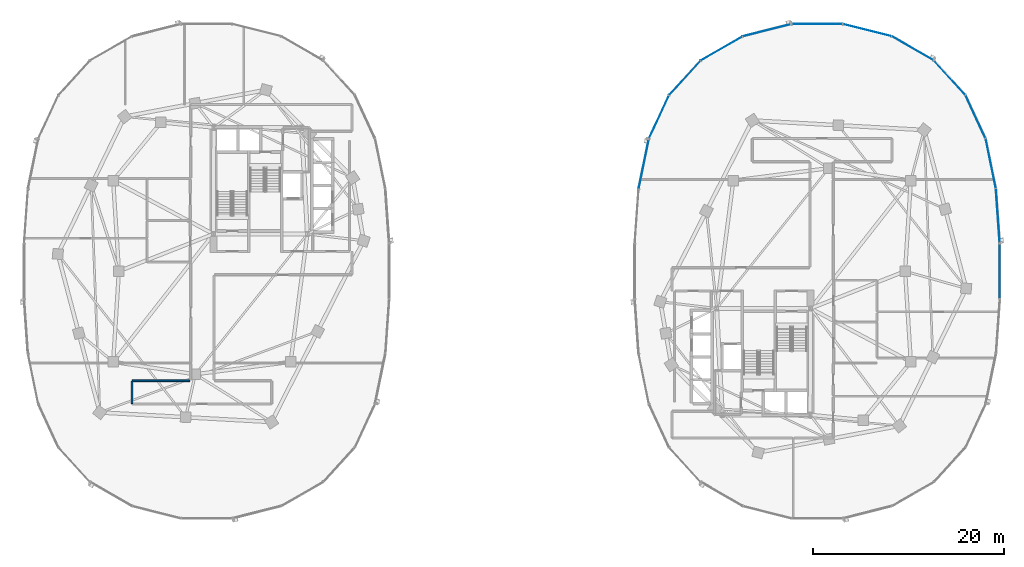
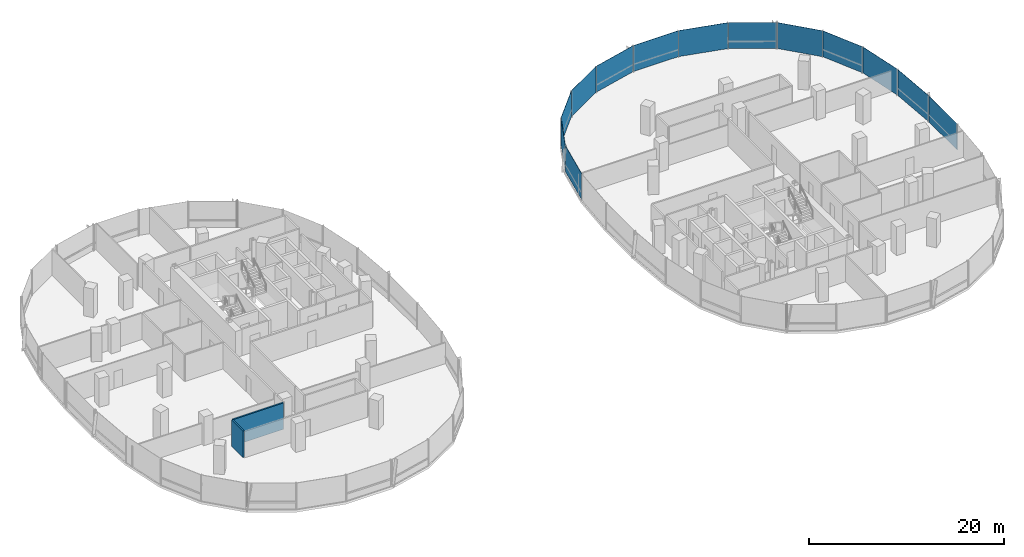
# One storey, part 10 of 21: 13 plates, 2 walls, 3 elements without a shape of their own.
"""IFC4 building model written with IfcOpenShell, lengths in metres."""

from ifc_helpers import new_model, si_unit, direction, frame, frame_2d, origin, origin_2d, place, context, subcontext, project, spatial, rectangle, extrude, material, layer, layer_set, type_object, element, aggregate, save


model = new_model("IFC4")

# Units and contexts
model_context = context("Model", 3, precision=1e-05, world=origin(), true_north=direction((0.0, 1.0)))
body_context = subcontext(model_context, "Body", "Model", "MODEL_VIEW")
ifc_project = project(units=[si_unit("LENGTHUNIT", "METRE"), si_unit("AREAUNIT", "SQUARE_METRE"), si_unit("VOLUMEUNIT", "CUBIC_METRE"), si_unit("PLANEANGLEUNIT", "RADIAN"), si_unit("MASSUNIT", "GRAM", prefix="KILO"), si_unit("THERMODYNAMICTEMPERATUREUNIT", "KELVIN"), si_unit("POWERUNIT", "WATT")], contexts=[model_context])

# Site, building, storey
site_placement = place(None, origin())
site = spatial("IfcSite", under=ifc_project, at=site_placement, CompositionType="ELEMENT")
building_placement = place(site_placement, origin())
building = spatial("IfcBuilding", under=site, at=building_placement, Name="Cundina Bronze Exchange", CompositionType="ELEMENT")
storey_placement = place(building_placement, frame((0.0, 0.0, 99.800048828125)))
storey = spatial("IfcBuildingStorey", under=building, at=storey_placement, Name="L25", CompositionType="ELEMENT", Elevation=99.800048828125)

# Curtain wall, plates
ifc_material_1 = material(Name="Anodised Bronze Aluminium 6063-T6", Category="aluminium")
curtain_wall_type = type_object("IfcCurtainWallType", Name="CWS-TRD-MID", PredefinedType="NOTDEFINED", material=ifc_material_1)
curtain_wall_1_placement = place(storey_placement, origin())
curtain_wall_1 = element("IfcCurtainWall", 1, at=curtain_wall_1_placement, inside=storey, type_object=curtain_wall_type, Name="L25 CW-03 Curtain Wall Run CWR-L25-E1", PredefinedType="NOTDEFINED")
ifc_material_2 = material(Name="Heat-Strengthened Solar-Control Bronze Safety Glass 28mm", Category="glass")
ifc_layer_1 = layer(ifc_material_2, 0.028076171875, Name="Heat-Strengthened Solar-Control Bronze Safety Glass 28mm", Category="glass")
ifc_layer_set_1 = layer_set([ifc_layer_1], Name="Heat-Strengthened Solar-Control Bronze Safety Glass 28mm")
plate_type_1 = type_object("IfcPlateType", Name="PLT-GLZ-VIS28", PredefinedType="CURTAIN_PANEL", material=ifc_layer_set_1)
plate_1_placement = place(storey_placement, frame((50.9267578125, 5.783935546875, 0.02001953125), z_axis=(0.0, 0.0, 1.0), x_axis=(-0.070278787473, 0.997527389113, 0.0)))
plate_1 = element("IfcPlate", 2, at=plate_1_placement, type_object=plate_type_1, Name="CW-03 Glazed Panel 1", PredefinedType="CURTAIN_PANEL", context=body_context, shape_type="SweptSolid", body=[
    extrude(rectangle(XDim=5.644287109375, YDim=0.028076171875, at=origin_2d()), origin(), (0.0, 0.0, 1.0), 3.260009765625),
])
plate_2_placement = place(storey_placement, frame((50.18408203125, 11.269775390625, 0.02001953125), z_axis=(0.0, 0.0, 1.0), x_axis=(-0.201419845156, 0.979505000486, 0.0)))
plate_2 = element("IfcPlate", 3, at=plate_2_placement, type_object=plate_type_1, Name="CW-03 Glazed Panel 2", PredefinedType="CURTAIN_PANEL", context=body_context, shape_type="SweptSolid", body=[
    extrude(rectangle(XDim=5.306640625, YDim=0.028076171875, at=origin_2d()), origin(), (0.0, 0.0, 1.0), 3.260009765625),
])
plate_3_placement = place(storey_placement, frame((48.586181640625, 16.177734375, 0.02001953125), z_axis=(0.0, 0.0, 1.0), x_axis=(-0.42084583328, 0.907132175932, 0.0)))
plate_3 = element("IfcPlate", 4, at=plate_3_placement, type_object=plate_type_1, Name="CW-03 Glazed Panel 3", PredefinedType="CURTAIN_PANEL", context=body_context, shape_type="SweptSolid", body=[
    extrude(rectangle(XDim=4.966552734375, YDim=0.028076171875, at=origin_2d()), origin(), (0.0, 0.0, 1.0), 3.260009765625),
])
plate_4_placement = place(storey_placement, frame((45.8740234375, 20.267333984375, 0.02001953125), z_axis=(0.0, 0.0, 1.0), x_axis=(-0.674276610219, 0.73847887777, 0.0)))
plate_4 = element("IfcPlate", 5, at=plate_4_placement, type_object=plate_type_1, Name="CW-03 Glazed Panel 4", PredefinedType="CURTAIN_PANEL", context=body_context, shape_type="SweptSolid", body=[
    extrude(rectangle(XDim=4.86328125, YDim=0.028076171875, at=origin_2d()), origin(), (0.0, 0.0, 1.0), 3.260009765625),
])
plate_5_placement = place(storey_placement, frame((37.255615234375, 25.256591796875, 0.02001953125), z_axis=(0.0, 0.0, 1.0), x_axis=(-0.969488149345, 0.245138182011, 0.0)))
plate_5 = element("IfcPlate", 6, at=plate_5_placement, type_object=plate_type_1, Name="CW-03 Glazed Panel 6", PredefinedType="CURTAIN_PANEL", context=body_context, shape_type="SweptSolid", body=[
    extrude(rectangle(XDim=5.2333984375, YDim=0.028076171875, at=origin_2d()), origin(), (0.0, 0.0, 1.0), 3.260009765625),
])
plate_6_placement = place(storey_placement, frame((32.0, 25.905029296875, 0.02001953125), z_axis=(0.0, 0.0, 1.0), x_axis=(-1.0, 0.0, 0.0)))
plate_6 = element("IfcPlate", 7, at=plate_6_placement, type_object=plate_type_1, Name="CW-03 Glazed Panel 7", PredefinedType="CURTAIN_PANEL", context=body_context, shape_type="SweptSolid", body=[
    extrude(rectangle(XDim=5.323974609375, YDim=0.028076171875, at=origin_2d()), origin(), (0.0, 0.0, 1.0), 3.260009765625),
])

curtain_wall_2_placement = place(storey_placement, origin())
curtain_wall_2 = element("IfcCurtainWall", 8, at=curtain_wall_2_placement, inside=storey, type_object=curtain_wall_type, Name="L25 CW-03 Curtain Wall Run CWR-L25-E2", PredefinedType="NOTDEFINED")
plate_7_placement = place(storey_placement, frame((26.744384765625, 25.256591796875, 0.02001953125), z_axis=(0.0, 0.0, 1.0), x_axis=(-0.969488149345, -0.245138182011, 0.0)))
plate_7 = element("IfcPlate", 9, at=plate_7_placement, type_object=plate_type_1, Name="CW-03 Glazed Panel 1", PredefinedType="CURTAIN_PANEL", context=body_context, shape_type="SweptSolid", body=[
    extrude(rectangle(XDim=5.2333984375, YDim=0.028076171875, at=origin_2d()), origin(), (0.0, 0.0, 1.0), 3.260009765625),
])
plate_8_placement = place(storey_placement, frame((21.980712890625, 23.34423828125, 0.02001953125), z_axis=(0.0, 0.0, 1.0), x_axis=(-0.867105478933, -0.498124571171, 0.0)))
plate_8 = element("IfcPlate", 10, at=plate_8_placement, type_object=plate_type_1, Name="CW-03 Glazed Panel 2", PredefinedType="CURTAIN_PANEL", context=body_context, shape_type="SweptSolid", body=[
    extrude(rectangle(XDim=5.021240234375, YDim=0.028076171875, at=origin_2d()), origin(), (0.0, 0.0, 1.0), 3.260009765625),
])
plate_9_placement = place(storey_placement, frame((18.1259765625, 20.267333984375, 0.02001953125), z_axis=(0.0, 0.0, 1.0), x_axis=(-0.674276610219, -0.73847887777, 0.0)))
plate_9 = element("IfcPlate", 11, at=plate_9_placement, type_object=plate_type_1, Name="CW-03 Glazed Panel 3", PredefinedType="CURTAIN_PANEL", context=body_context, shape_type="SweptSolid", body=[
    extrude(rectangle(XDim=4.86328125, YDim=0.028076171875, at=origin_2d()), origin(), (0.0, 0.0, 1.0), 3.260009765625),
])
plate_10_placement = place(storey_placement, frame((13.81591796875, 11.269775390625, 0.02001953125), z_axis=(0.0, 0.0, 1.0), x_axis=(-0.201419845156, -0.979505000486, 0.0)))
plate_10 = element("IfcPlate", 12, at=plate_10_placement, type_object=plate_type_1, Name="CW-03 Glazed Panel 5", PredefinedType="CURTAIN_PANEL", context=body_context, shape_type="SweptSolid", body=[
    extrude(rectangle(XDim=5.306640625, YDim=0.028076171875, at=origin_2d()), origin(), (0.0, 0.0, 1.0), 3.260009765625),
])

# Plate
ifc_material_3 = material(Name="Dark Bronze Spandrel Glass Panel 32mm", Category="glass")
ifc_layer_2 = layer(ifc_material_3, 0.031982421875, Name="Dark Bronze Spandrel Glass Panel 32mm", Category="glass")
ifc_layer_set_2 = layer_set([ifc_layer_2], Name="Dark Bronze Spandrel Glass Panel 32mm")
plate_type_2 = type_object("IfcPlateType", Name="PLT-SPN-BRZ32", PredefinedType="CURTAIN_PANEL", material=ifc_layer_set_2)
plate_11_placement = place(storey_placement, frame((42.019287109375, 23.34423828125, 0.02001953125), z_axis=(0.0, 0.0, 1.0), x_axis=(-0.867105478933, 0.498124571171, 0.0)))
plate_11 = element("IfcPlate", 13, at=plate_11_placement, type_object=plate_type_2, Name="CW-03 Glazed Panel 5", PredefinedType="CURTAIN_PANEL", context=body_context, shape_type="SweptSolid", body=[
    extrude(rectangle(XDim=5.021240234375, YDim=0.031982421875, at=origin_2d()), origin(), (0.0, 0.0, 1.0), 3.260009765625),
])

aggregate(curtain_wall_1, [plate_1, plate_2, plate_3, plate_4, plate_11, plate_5, plate_6])

plate_12_placement = place(storey_placement, frame((15.413818359375, 16.177734375, 0.02001953125), z_axis=(0.0, 0.0, 1.0), x_axis=(-0.42084583328, -0.907132175932, 0.0)))
plate_12 = element("IfcPlate", 14, at=plate_12_placement, type_object=plate_type_2, Name="CW-03 Glazed Panel 4", PredefinedType="CURTAIN_PANEL", context=body_context, shape_type="SweptSolid", body=[
    extrude(rectangle(XDim=4.966552734375, YDim=0.031982421875, at=origin_2d()), origin(), (0.0, 0.0, 1.0), 3.260009765625),
])

aggregate(curtain_wall_2, [plate_7, plate_8, plate_9, plate_12, plate_10])

# Curtain wall, plate
curtain_wall_3_placement = place(storey_placement, origin())
curtain_wall_3 = element("IfcCurtainWall", 15, at=curtain_wall_3_placement, inside=storey, type_object=curtain_wall_type, Name="L25 CW-03 Curtain Wall Run CWR-L25-E4", PredefinedType="NOTDEFINED")
plate_13_placement = place(storey_placement, frame((51.1279296875, 0.0, 0.02001953125), z_axis=(0.0, 0.0, 1.0), x_axis=(0.0, 1.0, 0.0)))
plate_13 = element("IfcPlate", 16, at=plate_13_placement, type_object=plate_type_2, Name="CW-03 Glazed Panel 7", PredefinedType="CURTAIN_PANEL", context=body_context, shape_type="SweptSolid", body=[
    extrude(rectangle(XDim=5.77587890625, YDim=0.031982421875, at=origin_2d()), origin(), (0.0, 0.0, 1.0), 3.260009765625),
])
aggregate(curtain_wall_3, [plate_13])

# Walls
ifc_material_4 = material(Name="Gypsum Fireboard Partition EI120")
ifc_layer_3 = layer(ifc_material_4, 0.179931640625, Name="Gypsum Fireboard Partition EI120")
ifc_layer_set_3 = layer_set([ifc_layer_3], Name="Gypsum Fireboard Partition EI120")
wall_type = type_object("IfcWallType", Name="WL-COR-180", PredefinedType="PARTITIONING", material=ifc_layer_set_3)
wall_1_placement = place(storey_placement, frame((-33.75, -11.47998046875, 0.0), z_axis=(0.0, 0.0, 1.0), x_axis=(-1.0, 0.0, 0.0)))
element("IfcWall", 17, at=wall_1_placement, inside=storey, type_object=wall_type, Name="L25 Interior Partition 022", PredefinedType="PARTITIONING", context=body_context, shape_type="SweptSolid", body=[
    extrude(rectangle(XDim=6.028564453125, YDim=0.179931640625, at=frame_2d((3.01416015625, 0.0))), origin(), (0.0, 0.0, 1.0), 3.300048828125),
])
wall_2_placement = place(storey_placement, frame((-39.820068359375, -11.521484375, 0.0), z_axis=(0.0, 0.0, 1.0), x_axis=(0.0, -1.0, 0.0)))
element("IfcWall", 18, at=wall_2_placement, inside=storey, type_object=wall_type, Name="L25 Interior Partition 024", PredefinedType="PARTITIONING", context=body_context, shape_type="SweptSolid", body=[
    extrude(rectangle(XDim=2.35693359375, YDim=0.179931640625, at=frame_2d((1.178466796875, 0.0))), origin(), (0.0, 0.0, 1.0), 3.300048828125),
])

save(model, "model.ifc")
